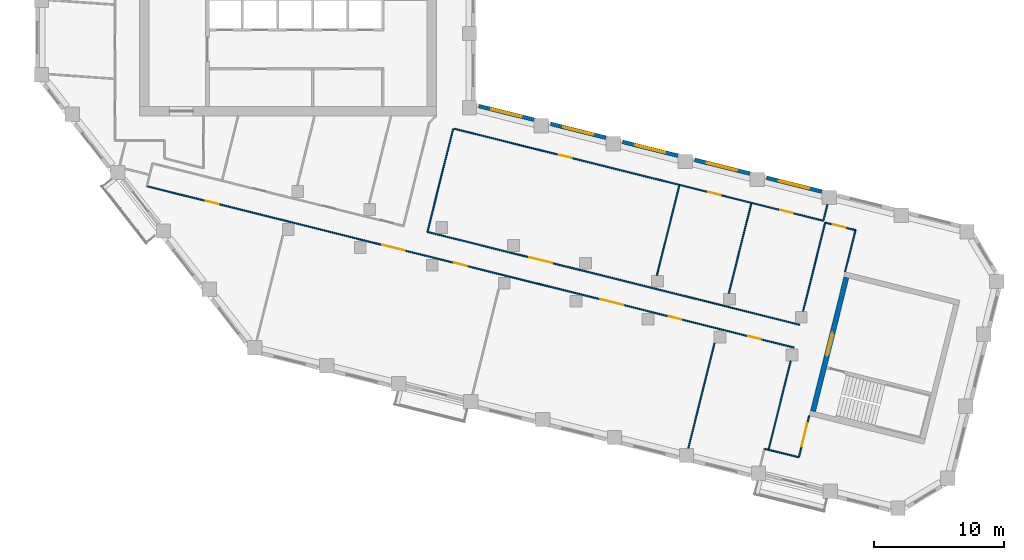
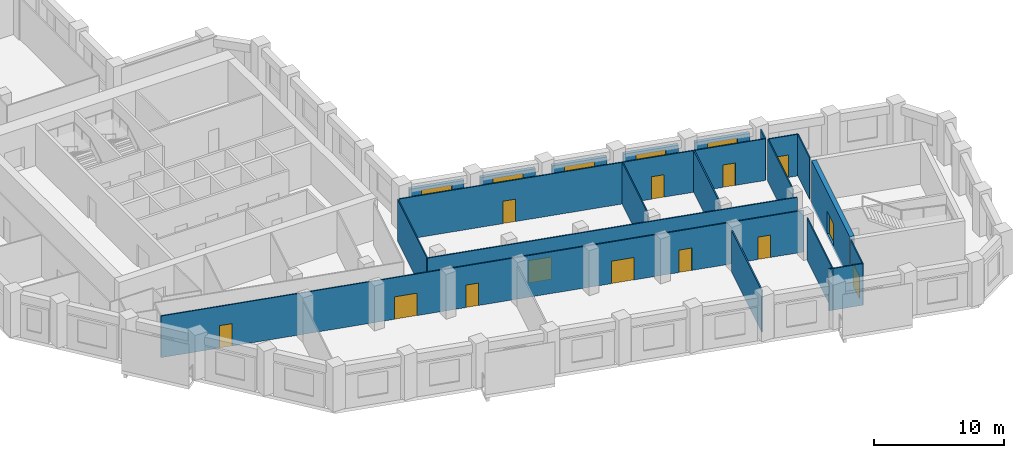
# One storey, part 4 of 10: 21 walls, 13 doors, 5 windows, 18 openings.
"""IFC4 building model written with IfcOpenShell, lengths in metres."""

from ifc_helpers import new_model, si_unit, direction, frame, frame_2d, origin, place, context, subcontext, project, spatial, rectangle, extrude, material, layer, layer_set, type_object, element, fill, save


model = new_model("IFC4")

# Units and contexts
model_context = context("Model", 3, precision=1e-05, world=origin(), true_north=direction((0.0, 1.0)))
body_context = subcontext(model_context, "Body", "Model", "MODEL_VIEW")
ifc_project = project(units=[si_unit("LENGTHUNIT", "METRE"), si_unit("AREAUNIT", "SQUARE_METRE"), si_unit("VOLUMEUNIT", "CUBIC_METRE"), si_unit("PLANEANGLEUNIT", "RADIAN"), si_unit("MASSUNIT", "GRAM", prefix="KILO")], contexts=[model_context])

# Site, building, storey
site_placement = place(None, origin())
site = spatial("IfcSite", under=ifc_project, at=site_placement, CompositionType="ELEMENT")
building_placement = place(site_placement, origin())
building = spatial("IfcBuilding", under=site, at=building_placement, Name="Meshkara Civic Tower", CompositionType="ELEMENT")
storey_placement = place(building_placement, frame((0.0, 0.0, 263.39990234375)))
storey = spatial("IfcBuildingStorey", under=building, at=storey_placement, Name="L60", CompositionType="ELEMENT", Elevation=263.39990234375)

# Wall, openings, doors
ifc_material_1 = material(Name="Corridor wall 100")
ifc_layer_1 = layer(ifc_material_1, 0.10009765625)
ifc_layer_set_1 = layer_set([ifc_layer_1], Name="Corridor wall 100")
wall_type_1 = type_object("IfcWallType", Name="Corridor wall 100", PredefinedType="PARTITIONING", material=ifc_layer_set_1)
wall_1_placement = place(storey_placement, frame((8.550048828125, 8.68505859375, 0.0), z_axis=(0.0, 0.0, 1.0), x_axis=(0.970298026101, -0.241912671319, 0.0)))
wall_1 = element("IfcWall", 1, at=wall_1_placement, inside=storey, type_object=wall_type_1, Name="L60-W006", PredefinedType="PARTITIONING", context=body_context, shape_type="SweptSolid", body=[
    extrude(rectangle(XDim=51.27490234375, YDim=0.10009765625, at=frame_2d((25.637451171875, 0.0))), origin(), (0.0, 0.0, 1.0), 3.900146484375),
])
opening_1_placement = place(wall_1_placement, frame((35.93994140625, 0.0, 0.0)))
opening_1 = element("IfcOpeningElement", 2, at=opening_1_placement, cuts=wall_1, Name="Opening L60-D002", PredefinedType="OPENING", context=body_context, shape_type="SweptSolid", body=[
    extrude(rectangle(XDim=1.800048828125, YDim=2.10009765625, at=frame_2d((0.89990234375, 1.050048828125))), frame((0.0, 0.06005859375, 0.0), z_axis=(0.0, -1.0, 0.0), x_axis=(1.0, 0.0, 0.0)), (0.0, 0.0, 1.0), 0.1201171875),
])
opening_2_placement = place(wall_1_placement, frame((41.340087890625, 0.0, 0.0)))
opening_2 = element("IfcOpeningElement", 3, at=opening_2_placement, cuts=wall_1, Name="Opening L60-D003", PredefinedType="OPENING", context=body_context, shape_type="SweptSolid", body=[
    extrude(rectangle(XDim=1.0, YDim=2.10009765625, at=frame_2d((0.5, 1.050048828125))), frame((0.0, 0.06005859375, 0.0), z_axis=(0.0, -1.0, 0.0), x_axis=(1.0, 0.0, 0.0)), (0.0, 0.0, 1.0), 0.1201171875),
])
opening_3_placement = place(wall_1_placement, frame((47.639892578125, 0.0, 0.0)))
opening_3 = element("IfcOpeningElement", 4, at=opening_3_placement, cuts=wall_1, Name="Opening L60-D004", PredefinedType="OPENING", context=body_context, shape_type="SweptSolid", body=[
    extrude(rectangle(XDim=1.0, YDim=2.10009765625, at=frame_2d((0.5, 1.050048828125))), frame((0.0, 0.06005859375, 0.0), z_axis=(0.0, -1.0, 0.0), x_axis=(1.0, 0.0, 0.0)), (0.0, 0.0, 1.0), 0.1201171875),
])
opening_4_placement = place(wall_1_placement, frame((18.638916015625, 0.0, 0.0)))
opening_4 = element("IfcOpeningElement", 5, at=opening_4_placement, cuts=wall_1, Name="Opening L60-D006", PredefinedType="OPENING", context=body_context, shape_type="SweptSolid", body=[
    extrude(rectangle(XDim=1.800048828125, YDim=2.10009765625, at=frame_2d((0.89990234375, 1.050048828125))), frame((0.0, 0.06005859375, 0.0), z_axis=(0.0, -1.0, 0.0), x_axis=(1.0, 0.0, 0.0)), (0.0, 0.0, 1.0), 0.1201171875),
])
opening_5_placement = place(wall_1_placement, frame((24.339111328125, 0.0, 0.0)))
opening_5 = element("IfcOpeningElement", 6, at=opening_5_placement, cuts=wall_1, Name="Opening L60-D007", PredefinedType="OPENING", context=body_context, shape_type="SweptSolid", body=[
    extrude(rectangle(XDim=1.0, YDim=2.10009765625, at=frame_2d((0.5, 1.050048828125))), frame((0.0, 0.06005859375, 0.0), z_axis=(0.0, -1.0, 0.0), x_axis=(1.0, 0.0, 0.0)), (0.0, 0.0, 1.0), 0.1201171875),
])
opening_6_placement = place(wall_1_placement, frame((4.679931640625, 0.0, 0.0)))
opening_6 = element("IfcOpeningElement", 7, at=opening_6_placement, cuts=wall_1, Name="Opening L60-D010", PredefinedType="OPENING", context=body_context, shape_type="SweptSolid", body=[
    extrude(rectangle(XDim=1.0, YDim=2.10009765625, at=frame_2d((0.5, 1.050048828125))), frame((0.0, 0.06005859375, 0.0), z_axis=(0.0, -1.0, 0.0), x_axis=(1.0, 0.0, 0.0)), (0.0, 0.0, 1.0), 0.1201171875),
])
ifc_material_2 = material(Name="Door 1000 x 2100")
door_type_1 = type_object("IfcDoorType", Name="Door 1000 x 2100", OperationType="SINGLE_SWING_LEFT", PredefinedType="DOOR", material=ifc_material_2)
door_1_placement = place(opening_2_placement, origin())
door_1 = element("IfcDoor", 8, at=door_1_placement, inside=storey, type_object=door_type_1, Name="L60-D003", OperationType="SINGLE_SWING_LEFT", OverallHeight=2.10009765625, OverallWidth=1.0, PredefinedType="DOOR", context=body_context, shape_type="SweptSolid", body=[
    extrude(rectangle(XDim=1.0, YDim=2.10009765625, at=frame_2d((0.5, 1.050048828125))), frame((0.0, 0.02490234375, 0.0), z_axis=(0.0, -1.0, 0.0), x_axis=(1.0, 0.0, 0.0)), (0.0, 0.0, 1.0), 0.050048828125),
])
fill(opening_2, door_1)
door_2_placement = place(opening_3_placement, origin())
door_2 = element("IfcDoor", 9, at=door_2_placement, inside=storey, type_object=door_type_1, Name="L60-D004", OperationType="SINGLE_SWING_RIGHT", OverallHeight=2.10009765625, OverallWidth=1.0, PredefinedType="DOOR", context=body_context, shape_type="SweptSolid", body=[
    extrude(rectangle(XDim=1.0, YDim=2.10009765625, at=frame_2d((0.5, 1.050048828125))), frame((0.0, 0.02490234375, 0.0), z_axis=(0.0, -1.0, 0.0), x_axis=(1.0, 0.0, 0.0)), (0.0, 0.0, 1.0), 0.050048828125),
])
fill(opening_3, door_2)
door_3_placement = place(opening_5_placement, origin())
door_3 = element("IfcDoor", 10, at=door_3_placement, inside=storey, type_object=door_type_1, Name="L60-D007", OperationType="SINGLE_SWING_LEFT", OverallHeight=2.10009765625, OverallWidth=1.0, PredefinedType="DOOR", context=body_context, shape_type="SweptSolid", body=[
    extrude(rectangle(XDim=1.0, YDim=2.10009765625, at=frame_2d((0.5, 1.050048828125))), frame((0.0, 0.02490234375, 0.0), z_axis=(0.0, -1.0, 0.0), x_axis=(1.0, 0.0, 0.0)), (0.0, 0.0, 1.0), 0.050048828125),
])
fill(opening_5, door_3)
door_4_placement = place(opening_6_placement, origin())
door_4 = element("IfcDoor", 11, at=door_4_placement, inside=storey, type_object=door_type_1, Name="L60-D010", OperationType="SINGLE_SWING_RIGHT", OverallHeight=2.10009765625, OverallWidth=1.0, PredefinedType="DOOR", context=body_context, shape_type="SweptSolid", body=[
    extrude(rectangle(XDim=1.0, YDim=2.10009765625, at=frame_2d((0.5, 1.050048828125))), frame((0.0, 0.02490234375, 0.0), z_axis=(0.0, -1.0, 0.0), x_axis=(1.0, 0.0, 0.0)), (0.0, 0.0, 1.0), 0.050048828125),
])
fill(opening_6, door_4)
ifc_material_3 = material(Name="Door pair 1800 x 2100")
door_type_2 = type_object("IfcDoorType", Name="Door pair 1800 x 2100", OperationType="SINGLE_SWING_LEFT", PredefinedType="DOOR", material=ifc_material_3)
door_5_placement = place(opening_1_placement, origin())
door_5 = element("IfcDoor", 12, at=door_5_placement, inside=storey, type_object=door_type_2, Name="L60-D002", OperationType="DOUBLE_DOOR_SINGLE_SWING", OverallHeight=2.10009765625, OverallWidth=1.800048828125, PredefinedType="DOOR", context=body_context, shape_type="SweptSolid", body=[
    extrude(rectangle(XDim=1.800048828125, YDim=2.10009765625, at=frame_2d((0.89990234375, 1.050048828125))), frame((0.0, 0.02490234375, 0.0), z_axis=(0.0, -1.0, 0.0), x_axis=(1.0, 0.0, 0.0)), (0.0, 0.0, 1.0), 0.050048828125),
])
fill(opening_1, door_5)
door_6_placement = place(opening_4_placement, origin())
door_6 = element("IfcDoor", 13, at=door_6_placement, inside=storey, type_object=door_type_2, Name="L60-D006", OperationType="DOUBLE_DOOR_SINGLE_SWING", OverallHeight=2.10009765625, OverallWidth=1.800048828125, PredefinedType="DOOR", context=body_context, shape_type="SweptSolid", body=[
    extrude(rectangle(XDim=1.800048828125, YDim=2.10009765625, at=frame_2d((0.89990234375, 1.050048828125))), frame((0.0, 0.02490234375, 0.0), z_axis=(0.0, -1.0, 0.0), x_axis=(1.0, 0.0, 0.0)), (0.0, 0.0, 1.0), 0.050048828125),
])
fill(opening_4, door_6)

# Wall, opening, door
wall_2_placement = place(storey_placement, frame((30.1201171875, 5.1708984375, 0.0), z_axis=(0.0, 0.0, 1.0), x_axis=(0.970293732398, -0.241929892467, 0.0)))
wall_2 = element("IfcWall", 14, at=wall_2_placement, inside=storey, type_object=wall_type_1, Name="L60-W021", PredefinedType="PARTITIONING", context=body_context, shape_type="SweptSolid", body=[
    extrude(rectangle(XDim=29.49609375, YDim=0.10009765625, at=frame_2d((14.748046875, 0.0))), origin(), (0.0, 0.0, 1.0), 3.900146484375),
])
opening_7_placement = place(wall_2_placement, frame((8.080078125, 0.0, 0.0)))
opening_7 = element("IfcOpeningElement", 15, at=opening_7_placement, cuts=wall_2, Name="Opening L60-D008", PredefinedType="OPENING", context=body_context, shape_type="SweptSolid", body=[
    extrude(rectangle(XDim=1.800048828125, YDim=2.10009765625, at=frame_2d((0.89990234375, 1.050048828125))), frame((0.0, 0.06005859375, 0.0), z_axis=(0.0, -1.0, 0.0), x_axis=(1.0, 0.0, 0.0)), (0.0, 0.0, 1.0), 0.1201171875),
])
door_7_placement = place(opening_7_placement, origin())
door_7 = element("IfcDoor", 16, at=door_7_placement, inside=storey, type_object=door_type_2, Name="L60-D008", OperationType="DOUBLE_DOOR_SINGLE_SWING", OverallHeight=2.10009765625, OverallWidth=1.800048828125, PredefinedType="DOOR", context=body_context, shape_type="SweptSolid", body=[
    extrude(rectangle(XDim=1.800048828125, YDim=2.10009765625, at=frame_2d((0.89990234375, 1.050048828125))), frame((0.0, 0.02490234375, 0.0), z_axis=(0.0, -1.0, 0.0), x_axis=(1.0, 0.0, 0.0)), (0.0, 0.0, 1.0), 0.050048828125),
])
fill(opening_7, door_7)

# Wall
wall_3_placement = place(storey_placement, frame((30.1201171875, 5.1708984375, 0.0), z_axis=(0.0, 0.0, 1.0), x_axis=(0.241902913229, 0.970300458915, 0.0)))
element("IfcWall", 17, at=wall_3_placement, inside=storey, type_object=wall_type_1, Name="L60-W022", PredefinedType="PARTITIONING", context=body_context, shape_type="SweptSolid", body=[
    extrude(rectangle(XDim=8.171875, YDim=0.10009765625, at=frame_2d((4.0859375, 0.0))), origin(), (0.0, 0.0, 1.0), 3.900146484375),
])

# Wall, openings, doors
wall_4_placement = place(storey_placement, frame((32.196044921875, 13.10009765625, 0.0), z_axis=(0.0, 0.0, 1.0), x_axis=(0.970294627208, -0.241926303678, 0.0)))
wall_4 = element("IfcWall", 18, at=wall_4_placement, inside=storey, type_object=wall_type_1, Name="L60-W026", PredefinedType="PARTITIONING", context=body_context, shape_type="SweptSolid", body=[
    extrude(rectangle(XDim=29.22802734375, YDim=0.10009765625, at=frame_2d((14.614013671875, 0.0))), origin(), (0.0, 0.0, 1.0), 3.900146484375),
])
opening_8_placement = place(wall_4_placement, frame((8.280029296875, 0.0, 0.0)))
opening_8 = element("IfcOpeningElement", 19, at=opening_8_placement, cuts=wall_4, Name="Opening L60-D013", PredefinedType="OPENING", context=body_context, shape_type="SweptSolid", body=[
    extrude(rectangle(XDim=1.0, YDim=2.10009765625, at=frame_2d((0.5, 1.050048828125))), frame((0.0, 0.06005859375, 0.0), z_axis=(0.0, -1.0, 0.0), x_axis=(1.0, 0.0, 0.0)), (0.0, 0.0, 1.0), 0.1201171875),
])
opening_9_placement = place(wall_4_placement, frame((20.10791015625, 0.0, 0.0)))
opening_9 = element("IfcOpeningElement", 20, at=opening_9_placement, cuts=wall_4, Name="Opening L60-D014", PredefinedType="OPENING", context=body_context, shape_type="SweptSolid", body=[
    extrude(rectangle(XDim=1.0, YDim=2.10009765625, at=frame_2d((0.5, 1.050048828125))), frame((0.0, 0.06005859375, 0.0), z_axis=(0.0, -1.0, 0.0), x_axis=(1.0, 0.0, 0.0)), (0.0, 0.0, 1.0), 0.1201171875),
])
opening_10_placement = place(wall_4_placement, frame((25.80810546875, 0.0, 0.0)))
opening_10 = element("IfcOpeningElement", 21, at=opening_10_placement, cuts=wall_4, Name="Opening L60-D015", PredefinedType="OPENING", context=body_context, shape_type="SweptSolid", body=[
    extrude(rectangle(XDim=1.0, YDim=2.10009765625, at=frame_2d((0.5, 1.050048828125))), frame((0.0, 0.06005859375, 0.0), z_axis=(0.0, -1.0, 0.0), x_axis=(1.0, 0.0, 0.0)), (0.0, 0.0, 1.0), 0.1201171875),
])
door_8_placement = place(opening_8_placement, origin())
door_8 = element("IfcDoor", 22, at=door_8_placement, inside=storey, type_object=door_type_1, Name="L60-D013", OperationType="SINGLE_SWING_RIGHT", OverallHeight=2.10009765625, OverallWidth=1.0, PredefinedType="DOOR", context=body_context, shape_type="SweptSolid", body=[
    extrude(rectangle(XDim=1.0, YDim=2.10009765625, at=frame_2d((0.5, 1.050048828125))), frame((0.0, 0.02490234375, 0.0), z_axis=(0.0, -1.0, 0.0), x_axis=(1.0, 0.0, 0.0)), (0.0, 0.0, 1.0), 0.050048828125),
])
fill(opening_8, door_8)
door_9_placement = place(opening_9_placement, origin())
door_9 = element("IfcDoor", 23, at=door_9_placement, inside=storey, type_object=door_type_1, Name="L60-D014", OperationType="SINGLE_SWING_RIGHT", OverallHeight=2.10009765625, OverallWidth=1.0, PredefinedType="DOOR", context=body_context, shape_type="SweptSolid", body=[
    extrude(rectangle(XDim=1.0, YDim=2.10009765625, at=frame_2d((0.5, 1.050048828125))), frame((0.0, 0.02490234375, 0.0), z_axis=(0.0, -1.0, 0.0), x_axis=(1.0, 0.0, 0.0)), (0.0, 0.0, 1.0), 0.050048828125),
])
fill(opening_9, door_9)
door_10_placement = place(opening_10_placement, origin())
door_10 = element("IfcDoor", 24, at=door_10_placement, inside=storey, type_object=door_type_1, Name="L60-D015", OperationType="SINGLE_SWING_RIGHT", OverallHeight=2.10009765625, OverallWidth=1.0, PredefinedType="DOOR", context=body_context, shape_type="SweptSolid", body=[
    extrude(rectangle(XDim=1.0, YDim=2.10009765625, at=frame_2d((0.5, 1.050048828125))), frame((0.0, 0.02490234375, 0.0), z_axis=(0.0, -1.0, 0.0), x_axis=(1.0, 0.0, 0.0)), (0.0, 0.0, 1.0), 0.050048828125),
])
fill(opening_10, door_10)

# Walls
wall_5_placement = place(storey_placement, frame((56.343994140625, -11.574951171875, 0.0), z_axis=(0.0, 0.0, 1.0), x_axis=(0.970333736057, -0.241769395645, 0.0)))
element("IfcWall", 25, at=wall_5_placement, inside=storey, type_object=wall_type_1, Name="L60-W027", PredefinedType="PARTITIONING", context=body_context, shape_type="SweptSolid", body=[
    extrude(rectangle(XDim=2.3994140625, YDim=0.10009765625, at=frame_2d((1.19970703125, 0.0))), origin(), (0.0, 0.0, 1.0), 3.900146484375),
])
wall_6_placement = place(storey_placement, frame((58.047119140625, -4.741943359375, 0.0), z_axis=(0.0, 0.0, 1.0), x_axis=(-0.241882891004, -0.970305450381, 0.0)))
element("IfcWall", 26, at=wall_6_placement, inside=storey, type_object=wall_type_1, Name="L60-W028", PredefinedType="PARTITIONING", context=body_context, shape_type="SweptSolid", body=[
    extrude(rectangle(XDim=7.041015625, YDim=0.10009765625, at=frame_2d((3.5205078125, 0.0))), origin(), (0.0, 0.0, 1.0), 3.900146484375),
])

# Wall, opening, door
wall_7_placement = place(storey_placement, frame((58.672119140625, -12.155029296875, 0.0), z_axis=(0.0, 0.0, 1.0), x_axis=(0.242048225647, 0.970264219922, 0.0)))
wall_7 = element("IfcWall", 27, at=wall_7_placement, inside=storey, type_object=wall_type_1, Name="L60-W029", PredefinedType="PARTITIONING", context=body_context, shape_type="SweptSolid", body=[
    extrude(rectangle(XDim=3.30029296875, YDim=0.10009765625, at=frame_2d((1.650146484375, 0.0))), origin(), (0.0, 0.0, 1.0), 3.900146484375),
])
opening_11_placement = place(wall_7_placement, frame((0.8798828125, 0.0, 0.0)))
opening_11 = element("IfcOpeningElement", 28, at=opening_11_placement, cuts=wall_7, Name="Opening L60-D001", PredefinedType="OPENING", context=body_context, shape_type="SweptSolid", body=[
    extrude(rectangle(XDim=1.800048828125, YDim=2.10009765625, at=frame_2d((0.89990234375, 1.050048828125))), frame((0.0, 0.06005859375, 0.0), z_axis=(0.0, -1.0, 0.0), x_axis=(1.0, 0.0, 0.0)), (0.0, 0.0, 1.0), 0.1201171875),
])
door_11_placement = place(opening_11_placement, origin())
door_11 = element("IfcDoor", 29, at=door_11_placement, inside=storey, type_object=door_type_2, Name="L60-D001", OperationType="DOUBLE_DOOR_SINGLE_SWING", OverallHeight=2.10009765625, OverallWidth=1.800048828125, PredefinedType="DOOR", context=body_context, shape_type="SweptSolid", body=[
    extrude(rectangle(XDim=1.800048828125, YDim=2.10009765625, at=frame_2d((0.89990234375, 1.050048828125))), frame((0.0, 0.02490234375, 0.0), z_axis=(0.0, -1.0, 0.0), x_axis=(1.0, 0.0, 0.0)), (0.0, 0.0, 1.0), 0.050048828125),
])
fill(opening_11, door_11)

# Walls
wall_8_placement = place(storey_placement, frame((60.555908203125, 6.029052734375, 0.0), z_axis=(0.0, 0.0, 1.0), x_axis=(0.24168476558, 0.970354818655, 0.0)))
element("IfcWall", 30, at=wall_8_placement, inside=storey, type_object=wall_type_1, Name="L60-W030", PredefinedType="PARTITIONING", context=body_context, shape_type="SweptSolid", body=[
    extrude(rectangle(XDim=1.282958984375, YDim=0.10009765625, at=frame_2d((0.6416015625, 0.0))), origin(), (0.0, 0.0, 1.0), 3.900146484375),
])
wall_9_placement = place(storey_placement, frame((60.697998046875, 5.89111328125, 0.0), z_axis=(0.0, 0.0, 1.0), x_axis=(-0.241890198624, -0.97030362867, 0.0)))
element("IfcWall", 31, at=wall_9_placement, inside=storey, type_object=wall_type_1, Name="L60-W031", PredefinedType="PARTITIONING", context=body_context, shape_type="SweptSolid", body=[
    extrude(rectangle(XDim=7.03173828125, YDim=0.10009765625, at=frame_2d((3.515869140625, 0.0))), origin(), (0.0, 0.0, 1.0), 3.900146484375),
])
wall_10_placement = place(storey_placement, frame((62.22900390625, 2.10791015625, 0.0), z_axis=(0.0, 0.0, 1.0), x_axis=(0.241839284064, 0.97031631991, 0.0)))
element("IfcWall", 32, at=wall_10_placement, inside=storey, type_object=wall_type_1, Name="L60-W032", PredefinedType="PARTITIONING", context=body_context, shape_type="SweptSolid", body=[
    extrude(rectangle(XDim=3.300048828125, YDim=0.10009765625, at=frame_2d((1.64990234375, 0.0))), origin(), (0.0, 0.0, 1.0), 3.900146484375),
])

# Wall, opening, door
wall_11_placement = place(storey_placement, frame((63.027099609375, 5.31005859375, 0.0), z_axis=(0.0, 0.0, 1.0), x_axis=(-0.970262034576, 0.242056985565, 0.0)))
wall_11 = element("IfcWall", 33, at=wall_11_placement, inside=storey, type_object=wall_type_1, Name="L60-W033", PredefinedType="PARTITIONING", context=body_context, shape_type="SweptSolid", body=[
    extrude(rectangle(XDim=2.400390625, YDim=0.10009765625, at=frame_2d((1.2001953125, 0.0))), origin(), (0.0, 0.0, 1.0), 3.900146484375),
])
opening_12_placement = place(wall_11_placement, frame((0.780029296875, 0.0, 0.0)))
opening_12 = element("IfcOpeningElement", 34, at=opening_12_placement, cuts=wall_11, Name="Opening L60-D009", PredefinedType="OPENING", context=body_context, shape_type="SweptSolid", body=[
    extrude(rectangle(XDim=1.0, YDim=2.10009765625, at=frame_2d((0.5, 1.050048828125))), frame((0.0, 0.06005859375, 0.0), z_axis=(0.0, -1.0, 0.0), x_axis=(1.0, 0.0, 0.0)), (0.0, 0.0, 1.0), 0.1201171875),
])
door_12_placement = place(opening_12_placement, origin())
door_12 = element("IfcDoor", 35, at=door_12_placement, inside=storey, type_object=door_type_1, Name="L60-D009", OperationType="SINGLE_SWING_LEFT", OverallHeight=2.10009765625, OverallWidth=1.0, PredefinedType="DOOR", context=body_context, shape_type="SweptSolid", body=[
    extrude(rectangle(XDim=1.0, YDim=2.10009765625, at=frame_2d((0.5, 1.050048828125))), frame((0.0, 0.02490234375, 0.0), z_axis=(0.0, -1.0, 0.0), x_axis=(1.0, 0.0, 0.0)), (0.0, 0.0, 1.0), 0.050048828125),
])
fill(opening_12, door_12)

# Wall, opening, window
ifc_material_4 = material(Name="Insulated infill panel with bronze anodised aluminium cladding", Category="aluminium")
ifc_layer_2 = layer(ifc_material_4, 0.300048828125)
ifc_layer_set_2 = layer_set([ifc_layer_2], Name="EXTERNAL INFILL WALL 300")
wall_type_2 = type_object("IfcWallType", Name="EXTERNAL INFILL WALL 300", PredefinedType="SOLIDWALL", material=ifc_layer_set_2)
wall_12_placement = place(storey_placement, frame((60.428955078125, 8.277099609375, 0.0), z_axis=(0.0, 0.0, 1.0), x_axis=(-0.97030676369, 0.241877622649, 0.0)))
wall_12 = element("IfcWall", 36, at=wall_12_placement, inside=storey, type_object=wall_type_2, Name="External wall", PredefinedType="SOLIDWALL", context=body_context, shape_type="SweptSolid", body=[
    extrude(rectangle(XDim=4.365478515625, YDim=0.300048828125, at=frame_2d((2.1826171875, 0.0))), origin(), (0.0, 0.0, 1.0), 3.150146484375),
])
opening_13_placement = place(wall_12_placement, frame((0.98291015625, 0.0, 0.800048828125)))
opening_13 = element("IfcOpeningElement", 37, at=opening_13_placement, cuts=wall_12, Name="Opening W7", PredefinedType="OPENING", context=body_context, shape_type="SweptSolid", body=[
    extrude(rectangle(XDim=2.39990234375, YDim=2.10009765625, at=frame_2d((1.199951171875, 1.050048828125))), frame((0.0, 0.159912109375, 0.0), z_axis=(0.0, -1.0, 0.0), x_axis=(1.0, 0.0, 0.0)), (0.0, 0.0, 1.0), 0.320068359375),
])
ifc_material_5 = material(Name="Tinted double glazing", Category="glass")
window_type = type_object("IfcWindowType", Name="WINDOW 2400x2100", PartitioningType="DOUBLE_PANEL_VERTICAL", PredefinedType="WINDOW", material=ifc_material_5)
window_1_placement = place(opening_13_placement, origin())
window_1 = element("IfcWindow", 38, at=window_1_placement, inside=storey, type_object=window_type, Name="Window", OverallHeight=2.10009765625, OverallWidth=2.39990234375, PartitioningType="DOUBLE_PANEL_VERTICAL", PredefinedType="WINDOW", context=body_context, shape_type="SweptSolid", body=[
    extrude(rectangle(XDim=2.39990234375, YDim=2.10009765625, at=frame_2d((1.199951171875, 1.050048828125))), frame((0.0, 0.030029296875, 0.0), z_axis=(0.0, -1.0, 0.0), x_axis=(1.0, 0.0, 0.0)), (0.0, 0.0, 1.0), 0.06005859375),
])
fill(opening_13, window_1)

wall_13_placement = place(storey_placement, frame((54.89892578125, 9.656005859375, 0.0), z_axis=(0.0, 0.0, 1.0), x_axis=(-0.970319847058, 0.241825131873, 0.0)))
wall_13 = element("IfcWall", 39, at=wall_13_placement, inside=storey, type_object=wall_type_2, Name="External wall", PredefinedType="SOLIDWALL", context=body_context, shape_type="SweptSolid", body=[
    extrude(rectangle(XDim=4.366455078125, YDim=0.300048828125, at=frame_2d((2.18310546875, 0.0))), origin(), (0.0, 0.0, 1.0), 3.150146484375),
])
opening_14_placement = place(wall_13_placement, frame((0.98291015625, 0.0, 0.800048828125)))
opening_14 = element("IfcOpeningElement", 40, at=opening_14_placement, cuts=wall_13, Name="Opening W7", PredefinedType="OPENING", context=body_context, shape_type="SweptSolid", body=[
    extrude(rectangle(XDim=2.39990234375, YDim=2.10009765625, at=frame_2d((1.199951171875, 1.050048828125))), frame((0.0, 0.159912109375, 0.0), z_axis=(0.0, -1.0, 0.0), x_axis=(1.0, 0.0, 0.0)), (0.0, 0.0, 1.0), 0.320068359375),
])
window_2_placement = place(opening_14_placement, origin())
window_2 = element("IfcWindow", 41, at=window_2_placement, inside=storey, type_object=window_type, Name="Window", OverallHeight=2.10009765625, OverallWidth=2.39990234375, PartitioningType="DOUBLE_PANEL_VERTICAL", PredefinedType="WINDOW", context=body_context, shape_type="SweptSolid", body=[
    extrude(rectangle(XDim=2.39990234375, YDim=2.10009765625, at=frame_2d((1.199951171875, 1.050048828125))), frame((0.0, 0.030029296875, 0.0), z_axis=(0.0, -1.0, 0.0), x_axis=(1.0, 0.0, 0.0)), (0.0, 0.0, 1.0), 0.06005859375),
])
fill(opening_14, window_2)

wall_14_placement = place(storey_placement, frame((49.367919921875, 11.034912109375, 0.0), z_axis=(0.0, 0.0, 1.0), x_axis=(-0.970306725873, 0.241877774353, 0.0)))
wall_14 = element("IfcWall", 42, at=wall_14_placement, inside=storey, type_object=wall_type_2, Name="External wall", PredefinedType="SOLIDWALL", context=body_context, shape_type="SweptSolid", body=[
    extrude(rectangle(XDim=4.366455078125, YDim=0.300048828125, at=frame_2d((2.18310546875, 0.0))), origin(), (0.0, 0.0, 1.0), 3.150146484375),
])
opening_15_placement = place(wall_14_placement, frame((0.98291015625, 0.0, 0.800048828125)))
opening_15 = element("IfcOpeningElement", 43, at=opening_15_placement, cuts=wall_14, Name="Opening W7", PredefinedType="OPENING", context=body_context, shape_type="SweptSolid", body=[
    extrude(rectangle(XDim=2.39990234375, YDim=2.10009765625, at=frame_2d((1.199951171875, 1.050048828125))), frame((0.0, 0.159912109375, 0.0), z_axis=(0.0, -1.0, 0.0), x_axis=(1.0, 0.0, 0.0)), (0.0, 0.0, 1.0), 0.320068359375),
])
window_3_placement = place(opening_15_placement, origin())
window_3 = element("IfcWindow", 44, at=window_3_placement, inside=storey, type_object=window_type, Name="Window", OverallHeight=2.10009765625, OverallWidth=2.39990234375, PartitioningType="DOUBLE_PANEL_VERTICAL", PredefinedType="WINDOW", context=body_context, shape_type="SweptSolid", body=[
    extrude(rectangle(XDim=2.39990234375, YDim=2.10009765625, at=frame_2d((1.199951171875, 1.050048828125))), frame((0.0, 0.030029296875, 0.0), z_axis=(0.0, -1.0, 0.0), x_axis=(1.0, 0.0, 0.0)), (0.0, 0.0, 1.0), 0.06005859375),
])
fill(opening_15, window_3)

wall_15_placement = place(storey_placement, frame((43.8369140625, 12.4140625, 0.0), z_axis=(0.0, 0.0, 1.0), x_axis=(-0.97030676369, 0.241877622649, 0.0)))
wall_15 = element("IfcWall", 45, at=wall_15_placement, inside=storey, type_object=wall_type_2, Name="External wall", PredefinedType="SOLIDWALL", context=body_context, shape_type="SweptSolid", body=[
    extrude(rectangle(XDim=4.365478515625, YDim=0.300048828125, at=frame_2d((2.1826171875, 0.0))), origin(), (0.0, 0.0, 1.0), 3.150146484375),
])
opening_16_placement = place(wall_15_placement, frame((0.98291015625, 0.0, 0.800048828125)))
opening_16 = element("IfcOpeningElement", 46, at=opening_16_placement, cuts=wall_15, Name="Opening W7", PredefinedType="OPENING", context=body_context, shape_type="SweptSolid", body=[
    extrude(rectangle(XDim=2.39990234375, YDim=2.10009765625, at=frame_2d((1.199951171875, 1.050048828125))), frame((0.0, 0.159912109375, 0.0), z_axis=(0.0, -1.0, 0.0), x_axis=(1.0, 0.0, 0.0)), (0.0, 0.0, 1.0), 0.320068359375),
])
window_4_placement = place(opening_16_placement, origin())
window_4 = element("IfcWindow", 47, at=window_4_placement, inside=storey, type_object=window_type, Name="Window", OverallHeight=2.10009765625, OverallWidth=2.39990234375, PartitioningType="DOUBLE_PANEL_VERTICAL", PredefinedType="WINDOW", context=body_context, shape_type="SweptSolid", body=[
    extrude(rectangle(XDim=2.39990234375, YDim=2.10009765625, at=frame_2d((1.199951171875, 1.050048828125))), frame((0.0, 0.030029296875, 0.0), z_axis=(0.0, -1.0, 0.0), x_axis=(1.0, 0.0, 0.0)), (0.0, 0.0, 1.0), 0.06005859375),
])
fill(opening_16, window_4)

wall_16_placement = place(storey_placement, frame((38.306884765625, 13.79296875, 0.0), z_axis=(0.0, 0.0, 1.0), x_axis=(-0.970306725873, 0.241877774353, 0.0)))
wall_16 = element("IfcWall", 48, at=wall_16_placement, inside=storey, type_object=wall_type_2, Name="External wall", PredefinedType="SOLIDWALL", context=body_context, shape_type="SweptSolid", body=[
    extrude(rectangle(XDim=4.366455078125, YDim=0.300048828125, at=frame_2d((2.18310546875, 0.0))), origin(), (0.0, 0.0, 1.0), 3.150146484375),
])
opening_17_placement = place(wall_16_placement, frame((0.98291015625, 0.0, 0.800048828125)))
opening_17 = element("IfcOpeningElement", 49, at=opening_17_placement, cuts=wall_16, Name="Opening W7", PredefinedType="OPENING", context=body_context, shape_type="SweptSolid", body=[
    extrude(rectangle(XDim=2.39990234375, YDim=2.10009765625, at=frame_2d((1.199951171875, 1.050048828125))), frame((0.0, 0.159912109375, 0.0), z_axis=(0.0, -1.0, 0.0), x_axis=(1.0, 0.0, 0.0)), (0.0, 0.0, 1.0), 0.320068359375),
])
window_5_placement = place(opening_17_placement, origin())
window_5 = element("IfcWindow", 50, at=window_5_placement, inside=storey, type_object=window_type, Name="Window", OverallHeight=2.10009765625, OverallWidth=2.39990234375, PartitioningType="DOUBLE_PANEL_VERTICAL", PredefinedType="WINDOW", context=body_context, shape_type="SweptSolid", body=[
    extrude(rectangle(XDim=2.39990234375, YDim=2.10009765625, at=frame_2d((1.199951171875, 1.050048828125))), frame((0.0, 0.030029296875, 0.0), z_axis=(0.0, -1.0, 0.0), x_axis=(1.0, 0.0, 0.0)), (0.0, 0.0, 1.0), 0.06005859375),
])
fill(opening_17, window_5)

# Wall, opening, door
ifc_material_6 = material(Name="Concrete C60", Category="concrete")
ifc_layer_3 = layer(ifc_material_6, 0.39990234375)
ifc_layer_set_3 = layer_set([ifc_layer_3], Name="End core ring wall 400 C60")
wall_type_3 = type_object("IfcWallType", Name="End core ring wall 400 C60", PredefinedType="SHEAR", material=ifc_layer_set_3)
wall_17_placement = place(storey_placement, frame((59.760986328125, -8.613037109375, -0.2998046875), z_axis=(0.0, 0.0, 1.0), x_axis=(0.241971982666, 0.970283236795, 0.0)))
wall_17 = element("IfcWall", 51, at=wall_17_placement, inside=storey, type_object=wall_type_3, Name="L60-C029", PredefinedType="SHEAR", context=body_context, shape_type="SweptSolid", body=[
    extrude(rectangle(XDim=10.60009765625, YDim=0.39990234375, at=frame_2d((5.300048828125, 0.0))), origin(), (0.0, 0.0, 1.0), 4.199951171875),
])
opening_18_placement = place(wall_17_placement, frame((4.39990234375, 0.0, 0.300048828125)))
opening_18 = element("IfcOpeningElement", 52, at=opening_18_placement, cuts=wall_17, Name="Opening L60-K202", PredefinedType="OPENING", context=body_context, shape_type="SweptSolid", body=[
    extrude(rectangle(XDim=1.800048828125, YDim=2.10009765625, at=frame_2d((0.89990234375, 1.050048828125))), frame((0.0, 0.2099609375, 0.0), z_axis=(0.0, -1.0, 0.0), x_axis=(1.0, 0.0, 0.0)), (0.0, 0.0, 1.0), 0.419921875),
])
ifc_material_7 = material(Name="Fire-rated door leaf in steel frame", Category="steel")
door_type_3 = type_object("IfcDoorType", Name="Core double door 1800 EI 60", OperationType="DOUBLE_DOOR_SINGLE_SWING", PredefinedType="DOOR", material=ifc_material_7)
door_13_placement = place(opening_18_placement, origin())
door_13 = element("IfcDoor", 53, at=door_13_placement, inside=storey, type_object=door_type_3, Name="L60-K202", OperationType="DOUBLE_DOOR_SINGLE_SWING", OverallHeight=2.10009765625, OverallWidth=1.800048828125, PredefinedType="DOOR", context=body_context, shape_type="SweptSolid", body=[
    extrude(rectangle(XDim=1.800048828125, YDim=2.10009765625, at=frame_2d((0.89990234375, 1.050048828125))), frame((0.0, 0.02490234375, 0.0), z_axis=(0.0, -1.0, 0.0), x_axis=(1.0, 0.0, 0.0)), (0.0, 0.0, 1.0), 0.050048828125),
])
fill(opening_18, door_13)

# Walls
ifc_material_8 = material(Name="Partition 100")
ifc_layer_4 = layer(ifc_material_8, 0.10009765625)
ifc_layer_set_4 = layer_set([ifc_layer_4], Name="Partition 100")
wall_type_4 = type_object("IfcWallType", Name="Partition 100", PredefinedType="PARTITIONING", material=ifc_layer_set_4)
wall_18_placement = place(storey_placement, frame((47.759033203125, 1.825927734375, 0.0), z_axis=(0.0, 0.0, 1.0), x_axis=(0.24198725093, 0.970279429024, 0.0)))
element("IfcWall", 54, at=wall_18_placement, inside=storey, type_object=wall_type_4, Name="L60-W047", PredefinedType="PARTITIONING", context=body_context, shape_type="SweptSolid", body=[
    extrude(rectangle(XDim=7.123779296875, YDim=0.10009765625, at=frame_2d((3.56201171875, 0.0))), origin(), (0.0, 0.0, 1.0), 3.900146484375),
])
wall_19_placement = place(storey_placement, frame((50.173095703125, -11.4609375, 0.0), z_axis=(0.0, 0.0, 1.0), x_axis=(0.241922908837, 0.970295473647, 0.0)))
element("IfcWall", 55, at=wall_19_placement, inside=storey, type_object=wall_type_4, Name="L60-W048", PredefinedType="PARTITIONING", context=body_context, shape_type="SweptSolid", body=[
    extrude(rectangle(XDim=8.3447265625, YDim=0.10009765625, at=frame_2d((4.17236328125, 0.0))), origin(), (0.0, 0.0, 1.0), 3.900146484375),
])
wall_20_placement = place(storey_placement, frame((53.2900390625, 0.447021484375, 0.0), z_axis=(0.0, 0.0, 1.0), x_axis=(0.241995297848, 0.970277422091, 0.0)))
element("IfcWall", 56, at=wall_20_placement, inside=storey, type_object=wall_type_4, Name="L60-W049", PredefinedType="PARTITIONING", context=body_context, shape_type="SweptSolid", body=[
    extrude(rectangle(XDim=7.12353515625, YDim=0.10009765625, at=frame_2d((3.561767578125, 0.0))), origin(), (0.0, 0.0, 1.0), 3.900146484375),
])
wall_21_placement = place(storey_placement, frame((56.0380859375, -11.498046875, 0.0), z_axis=(0.0, 0.0, 1.0), x_axis=(0.970551186262, -0.240894987173, 0.0)))
element("IfcWall", 57, at=wall_21_placement, inside=storey, type_object=wall_type_4, Name="L60-W051", PredefinedType="PARTITIONING", context=body_context, shape_type="SweptSolid", body=[
    extrude(rectangle(XDim=0.315185546875, YDim=0.10009765625, at=frame_2d((0.15771484375, 0.0))), origin(), (0.0, 0.0, 1.0), 3.900146484375),
])

save(model, "model.ifc")
